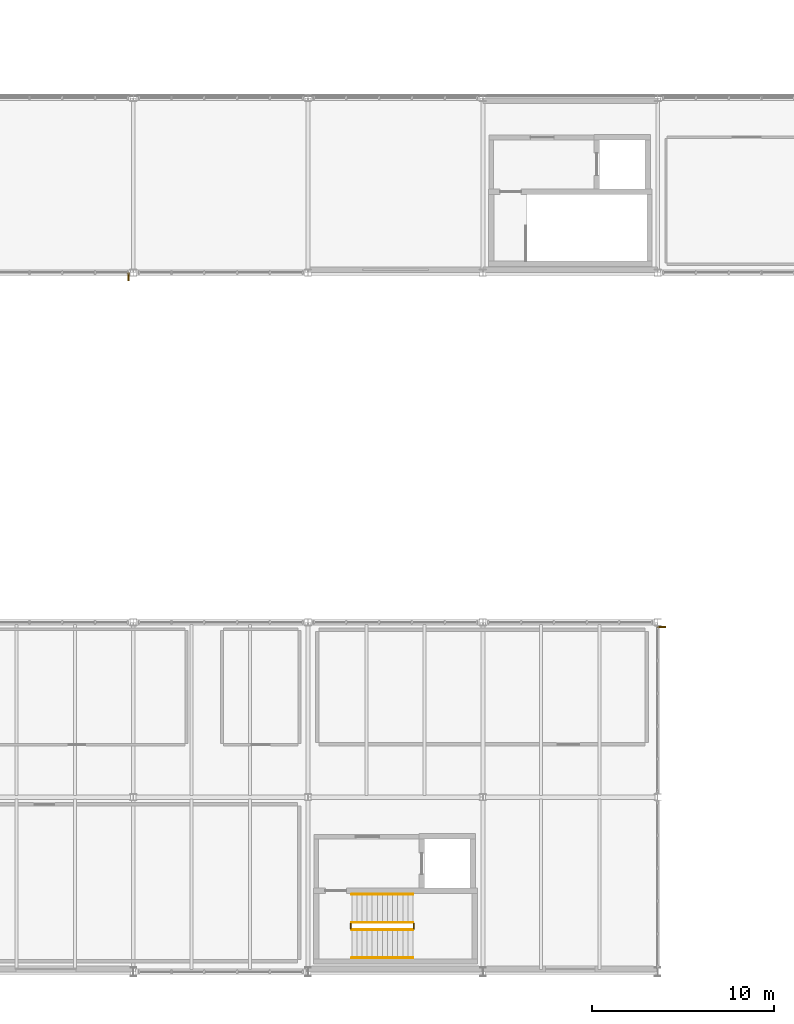
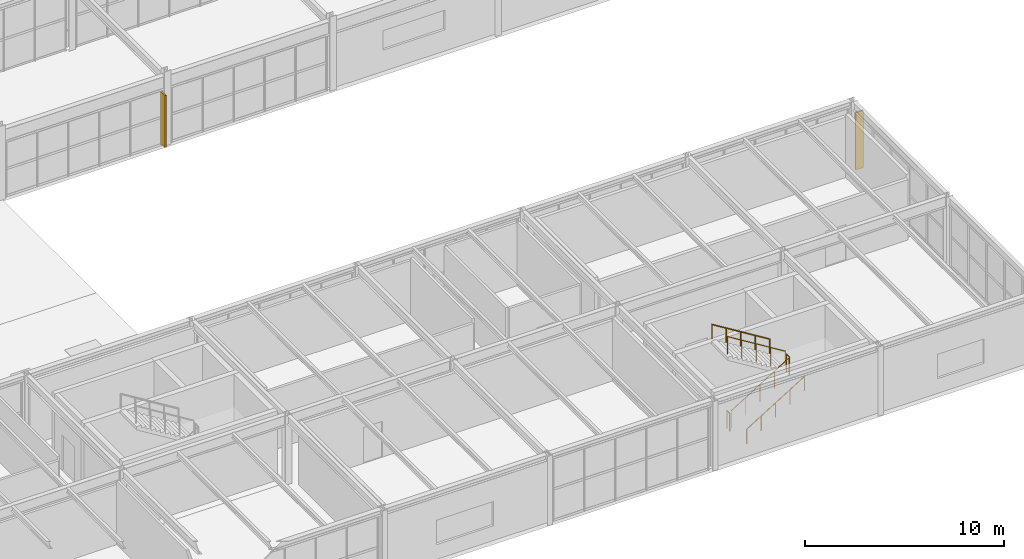
# One storey, part 161 of 170: 6 railings, 2 shading devices.
"""IFC4 building model written with IfcOpenShell, lengths in metres."""

from ifc_helpers import new_model, si_unit, direction, frame, origin, origin_2d, place, context, subcontext, project, spatial, rectangle, circle, extrude, material, type_object, element, save


model = new_model("IFC4")

# Units and contexts
model_context = context("Model", 3, precision=1e-05, world=origin(), true_north=direction((0.0, 1.0)))
body_context = subcontext(model_context, "Body", "Model", "MODEL_VIEW")
ifc_project = project(units=[si_unit("LENGTHUNIT", "METRE"), si_unit("AREAUNIT", "SQUARE_METRE"), si_unit("VOLUMEUNIT", "CUBIC_METRE"), si_unit("PLANEANGLEUNIT", "RADIAN"), si_unit("MASSUNIT", "GRAM", prefix="KILO")], contexts=[model_context])

# Site, building, storey
site_placement = place(None, origin())
site = spatial("IfcSite", under=ifc_project, at=site_placement, CompositionType="ELEMENT")
building_placement = place(site_placement, origin())
building = spatial("IfcBuilding", under=site, at=building_placement, Name="Coralgate Yard Interchange", CompositionType="ELEMENT")
storey_placement = place(building_placement, frame((0.0, 0.0, 6.0)))
storey = spatial("IfcBuildingStorey", under=building, at=storey_placement, Name="L01", CompositionType="ELEMENT", Elevation=6.0)

# Railings
ifc_material_1 = material(Name="Grade 316 marine stainless steel and toughened glass balustrade", Category="steel")
railing_type_1 = type_object("IfcRailingType", Name="RLG-GD1100", PredefinedType="BALUSTRADE", material=ifc_material_1)
railing_1_placement = place(storey_placement, frame((79.199951171875, 2.320068359375, 0.173095703125)))
element("IfcRailing", 1, at=railing_1_placement, inside=storey, type_object=railing_type_1, Name="L01 ST-04 stair guard 1", PredefinedType="BALUSTRADE", context=body_context, shape_type="SweptSolid", body=[
    extrude(circle(Radius=0.02392578125, at=origin_2d()), frame((0.0, 0.0, 1.076171875), z_axis=(0.850623216509, 0.0, 0.525775754039), x_axis=(0.0, 1.0, 0.0)), (0.0, 0.0, 1.0), 3.9501953125),
    extrude(circle(Radius=0.02099609375, at=origin_2d()), origin(), (0.0, 0.0, 1.0), 1.051513671875),
    extrude(circle(Radius=0.02099609375, at=origin_2d()), frame((0.840087890625, 0.0, 0.519287109375)), (0.0, 0.0, 1.0), 1.051513671875),
    extrude(circle(Radius=0.02099609375, at=origin_2d()), frame((1.68017578125, 0.0, 1.03857421875)), (0.0, 0.0, 1.0), 1.051513671875),
    extrude(circle(Radius=0.02099609375, at=origin_2d()), frame((2.52001953125, 0.0, 1.5576171875)), (0.0, 0.0, 1.0), 1.051513671875),
    extrude(circle(Radius=0.02099609375, at=origin_2d()), frame((3.360107421875, 0.0, 2.076904296875)), (0.0, 0.0, 1.0), 1.051513671875),
])
railing_2_placement = place(storey_placement, frame((82.610107421875, 2.3701171875, 2.25)))
element("IfcRailing", 2, at=railing_2_placement, inside=storey, type_object=railing_type_1, Name="L01 ST-04 stair guard 2", PredefinedType="BALUSTRADE", context=body_context, shape_type="SweptSolid", body=[
    extrude(circle(Radius=0.02392578125, at=origin_2d()), frame((0.0, 0.0, 1.076171875), z_axis=(0.0, 1.0, 0.0), x_axis=(-1.0, 0.0, 0.0)), (0.0, 0.0, 1.0), 0.289794921875),
    extrude(circle(Radius=0.02099609375, at=origin_2d()), origin(), (0.0, 0.0, 1.0), 1.051513671875),
    extrude(circle(Radius=0.02099609375, at=origin_2d()), frame((0.0, 0.289794921875, 0.0)), (0.0, 0.0, 1.0), 1.051513671875),
])
railing_3_placement = place(storey_placement, frame((82.56005859375, 2.7099609375, 2.423095703125)))
element("IfcRailing", 3, at=railing_3_placement, inside=storey, type_object=railing_type_1, Name="L01 ST-04 stair guard 3", PredefinedType="BALUSTRADE", context=body_context, shape_type="SweptSolid", body=[
    extrude(circle(Radius=0.02392578125, at=origin_2d()), frame((0.0, 0.0, 1.076171875), z_axis=(-0.850623216509, 0.0, 0.525775754039), x_axis=(0.0, -1.0, 0.0)), (0.0, 0.0, 1.0), 3.9501953125),
    extrude(circle(Radius=0.02099609375, at=origin_2d()), origin(), (0.0, 0.0, 1.0), 1.051513671875),
    extrude(circle(Radius=0.02099609375, at=origin_2d()), frame((-0.840087890625, 0.0, 0.519287109375)), (0.0, 0.0, 1.0), 1.051513671875),
    extrude(circle(Radius=0.02099609375, at=origin_2d()), frame((-1.68017578125, 0.0, 1.03857421875)), (0.0, 0.0, 1.0), 1.051513671875),
    extrude(circle(Radius=0.02099609375, at=origin_2d()), frame((-2.52001953125, 0.0, 1.5576171875)), (0.0, 0.0, 1.0), 1.051513671875),
    extrude(circle(Radius=0.02099609375, at=origin_2d()), frame((-3.360107421875, 0.0, 2.076904296875)), (0.0, 0.0, 1.0), 1.051513671875),
])
railing_4_placement = place(storey_placement, frame((79.14990234375, 2.3701171875, 0.0)))
element("IfcRailing", 4, at=railing_4_placement, inside=storey, type_object=railing_type_1, Name="L01 ST-04 stair guard 4", PredefinedType="BALUSTRADE", context=body_context, shape_type="SweptSolid", body=[
    extrude(circle(Radius=0.02392578125, at=origin_2d()), frame((0.0, 0.0, 1.076171875), z_axis=(0.0, 1.0, 0.0), x_axis=(-1.0, 0.0, 0.0)), (0.0, 0.0, 1.0), 0.289794921875),
    extrude(circle(Radius=0.02099609375, at=origin_2d()), origin(), (0.0, 0.0, 1.0), 1.051513671875),
    extrude(circle(Radius=0.02099609375, at=origin_2d()), frame((0.0, 0.289794921875, 0.0)), (0.0, 0.0, 1.0), 1.051513671875),
])
ifc_material_2 = material(Name="Grade 316 marine stainless steel", Category="steel")
railing_type_2 = type_object("IfcRailingType", Name="RLG-HR900", PredefinedType="HANDRAIL", material=ifc_material_2)
railing_5_placement = place(storey_placement, frame((79.199951171875, 0.77001953125, 0.173095703125)))
element("IfcRailing", 5, at=railing_5_placement, inside=storey, type_object=railing_type_2, Name="L01 ST-04 stair handrail 1", PredefinedType="HANDRAIL", context=body_context, shape_type="SweptSolid", body=[
    extrude(circle(Radius=0.02392578125, at=origin_2d()), frame((0.0, 0.0, 0.8759765625), z_axis=(0.850623216509, 0.0, 0.525775754039), x_axis=(0.0, 1.0, 0.0)), (0.0, 0.0, 1.0), 3.9501953125),
    extrude(circle(Radius=0.02099609375, at=origin_2d()), origin(), (0.0, 0.0, 1.0), 0.851318359375),
    extrude(circle(Radius=0.02099609375, at=origin_2d()), frame((0.840087890625, 0.0, 0.519287109375)), (0.0, 0.0, 1.0), 0.851318359375),
    extrude(circle(Radius=0.02099609375, at=origin_2d()), frame((1.68017578125, 0.0, 1.03857421875)), (0.0, 0.0, 1.0), 0.851318359375),
    extrude(circle(Radius=0.02099609375, at=origin_2d()), frame((2.52001953125, 0.0, 1.5576171875)), (0.0, 0.0, 1.0), 0.851318359375),
    extrude(circle(Radius=0.02099609375, at=origin_2d()), frame((3.360107421875, 0.0, 2.076904296875)), (0.0, 0.0, 1.0), 0.851318359375),
])
railing_6_placement = place(storey_placement, frame((82.56005859375, 4.260009765625, 2.423095703125)))
element("IfcRailing", 6, at=railing_6_placement, inside=storey, type_object=railing_type_2, Name="L01 ST-04 stair handrail 2", PredefinedType="HANDRAIL", context=body_context, shape_type="SweptSolid", body=[
    extrude(circle(Radius=0.02392578125, at=origin_2d()), frame((0.0, 0.0, 0.8759765625), z_axis=(-0.850623216509, 0.0, 0.525775754039), x_axis=(0.0, -1.0, 0.0)), (0.0, 0.0, 1.0), 3.9501953125),
    extrude(circle(Radius=0.02099609375, at=origin_2d()), origin(), (0.0, 0.0, 1.0), 0.851318359375),
    extrude(circle(Radius=0.02099609375, at=origin_2d()), frame((-0.840087890625, 0.0, 0.519287109375)), (0.0, 0.0, 1.0), 0.851318359375),
    extrude(circle(Radius=0.02099609375, at=origin_2d()), frame((-1.68017578125, 0.0, 1.03857421875)), (0.0, 0.0, 1.0), 0.851318359375),
    extrude(circle(Radius=0.02099609375, at=origin_2d()), frame((-2.52001953125, 0.0, 1.5576171875)), (0.0, 0.0, 1.0), 0.851318359375),
    extrude(circle(Radius=0.02099609375, at=origin_2d()), frame((-3.360107421875, 0.0, 2.076904296875)), (0.0, 0.0, 1.0), 0.851318359375),
])

# Shading devices
ifc_material_3 = material(Name="Anodised coastal aluminium vertical brise-soleil blade", Category="aluminium")
shading_device_type = type_object("IfcShadingDeviceType", Name="SHD-BS1", PredefinedType="SHUTTER", material=ifc_material_3)
shading_device_1_placement = place(storey_placement, frame((66.929931640625, 38.179931640625, 0.10009765625), z_axis=(0.0, 0.0, 1.0), x_axis=(-1.0, 0.0, 0.0)))
element("IfcShadingDevice", 7, at=shading_device_1_placement, inside=storey, type_object=shading_device_type, Name="L01 coastal aluminium brise-soleil fin S-6-4", PredefinedType="SHUTTER", context=body_context, shape_type="SweptSolid", body=[
    extrude(rectangle(XDim=0.080078125, YDim=0.449951171875, at=origin_2d()), origin(), (0.0, 0.0, 1.0), 3.209228515625),
])
shading_device_2_placement = place(storey_placement, frame((96.219970703125, 18.929931640625, 0.10009765625), z_axis=(0.0, 0.0, 1.0), x_axis=(0.0, -1.0, 0.0)))
element("IfcShadingDevice", 8, at=shading_device_2_placement, inside=storey, type_object=shading_device_type, Name="L01 coastal aluminium brise-soleil fin E-9-1", PredefinedType="SHUTTER", context=body_context, shape_type="SweptSolid", body=[
    extrude(rectangle(XDim=0.080078125, YDim=0.449951171875, at=origin_2d()), origin(), (0.0, 0.0, 1.0), 3.516845703125),
])

save(model, "model.ifc")
